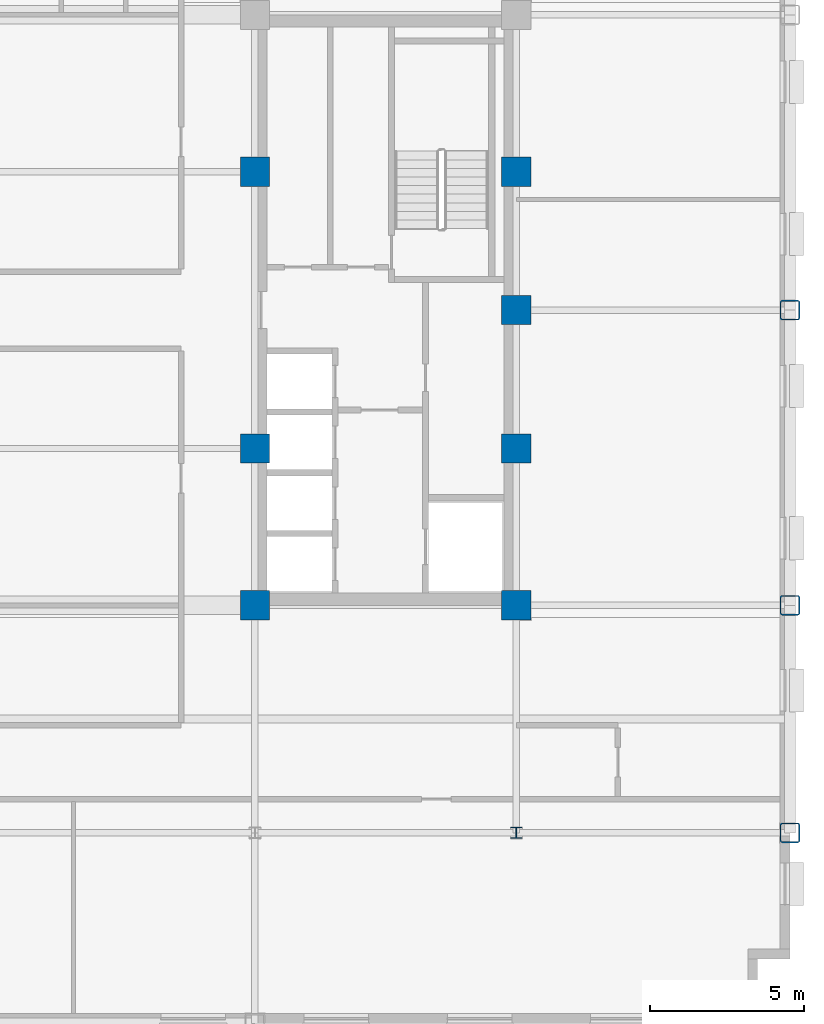
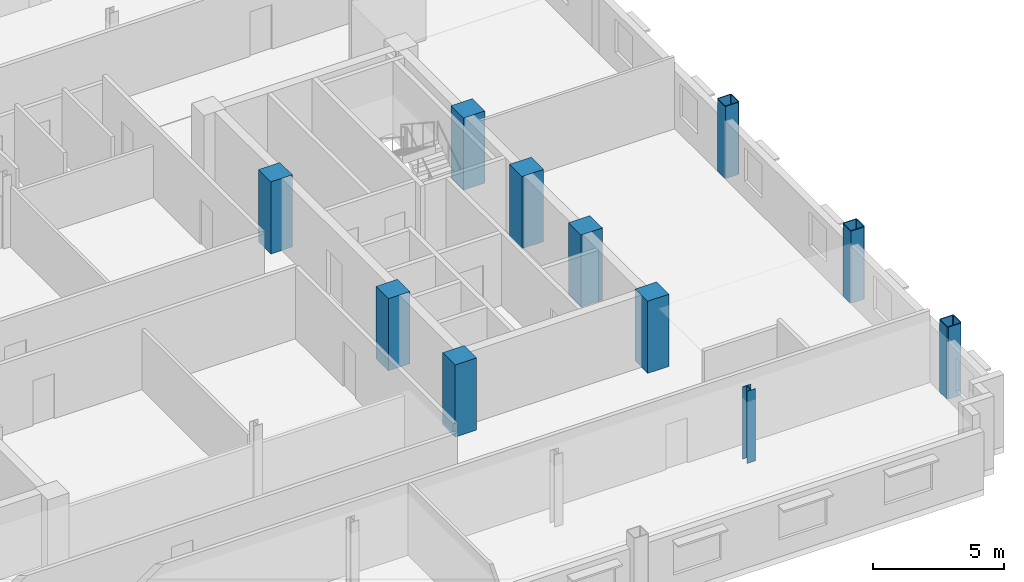
# One storey, part 2 of 14: 11 columns.
"""IFC4 building model written with IfcOpenShell, lengths in metres."""

from ifc_helpers import new_model, si_unit, direction, frame, origin, origin_2d, place, context, subcontext, project, spatial, rectangle, hollow_rectangle, i_section, extrude, material, material_profile, profile_set, type_object, element, save


model = new_model("IFC4")

# Units and contexts
model_context = context("Model", 3, precision=1e-05, world=origin(), true_north=direction((0.0, 1.0)))
body_context = subcontext(model_context, "Body", "Model", "MODEL_VIEW")
ifc_project = project(units=[si_unit("LENGTHUNIT", "METRE"), si_unit("AREAUNIT", "SQUARE_METRE"), si_unit("VOLUMEUNIT", "CUBIC_METRE"), si_unit("PLANEANGLEUNIT", "RADIAN"), si_unit("MASSUNIT", "GRAM", prefix="KILO")], contexts=[model_context])

# Site, building, storey
site_placement = place(None, origin())
site = spatial("IfcSite", under=ifc_project, at=site_placement, CompositionType="ELEMENT")
building_placement = place(site_placement, origin())
building = spatial("IfcBuilding", under=site, at=building_placement, Name="Nuvemarco Arch Tower", CompositionType="ELEMENT")
storey_placement = place(building_placement, frame((0.0, 0.0, 142.10009765625)))
storey = spatial("IfcBuildingStorey", under=building, at=storey_placement, Name="L37", CompositionType="ELEMENT", Elevation=142.10009765625)

# Columns
ifc_material_1 = material(Name="Concrete C50/60", Category="concrete")
ifc_material_profile_1 = material_profile(ifc_material_1, rectangle(XDim=0.949951171875, YDim=0.949951171875, at=origin_2d()), Name="RC-COL-950x950")
ifc_profile_set_1 = profile_set([ifc_material_profile_1], Name="Concrete C50/60")
column_type_1 = type_object("IfcColumnType", Name="COL-CORE-950", PredefinedType="COLUMN", material=ifc_profile_set_1)
for number, where, z_axis, x_axis, name in (
    (1, (9.0, -9.60009765625, 0.0), (0.0, 0.0, 1.0), (1.0, 0.0, 0.0), "L37 column CC_+9.0_-9.6"),
    (2, (9.0, -4.5, 0.0), (0.0, 0.0, 1.0), (1.0, 0.0, 0.0), "L37 column CC_+9.0_-4.5"),
    (3, (9.0, 4.5, 0.0), (0.0, 0.0, 1.0), (1.0, 0.0, 0.0), "L37 column CC_+9.0_+4.5"),
    (4, (17.5, -9.60009765625, 0.0), (0.0, 0.0, 1.0), (1.0, 0.0, 0.0), "L37 column CC_+17.5_-9.6"),
    (5, (17.5, -4.5, 0.0), (0.0, 0.0, 1.0), (1.0, 0.0, 0.0), "L37 column CC_+17.5_-4.5"),
    (6, (17.5, 4.5, 0.0), (0.0, 0.0, 1.0), (1.0, 0.0, 0.0), "L37 column CC_+17.5_+4.5"),
    (7, (17.5, 0.0, 0.0), (0.0, 0.0, 1.0), (1.0, 0.0, 0.0), "L37 column CC_+17.5_+0.0"),
):
    element("IfcColumn", number, at=place(storey_placement, frame(where, z_axis=z_axis, x_axis=x_axis)), inside=storey, type_object=column_type_1, Name=name, PredefinedType="COLUMN", context=body_context, shape_type="SweptSolid", body=[
        extrude(rectangle(XDim=0.949951171875, YDim=0.949951171875, at=origin_2d()), origin(), (0.0, 0.0, 1.0), 3.369873046875),
    ])
ifc_material_2 = material(Name="Steel S355", Category="steel")
ifc_material_profile_2 = material_profile(ifc_material_2, hollow_rectangle(XDim=0.64990234375, YDim=0.64990234375, WallThickness=0.0400390625, InnerFilletRadius=0.0400390625, OuterFilletRadius=0.080078125, at=origin_2d()), Name="SHS650x650x40")
ifc_profile_set_2 = profile_set([ifc_material_profile_2], Name="Steel S355")
column_type_2 = type_object("IfcColumnType", Name="COL-EXO-650", PredefinedType="COLUMN", material=ifc_profile_set_2)
for number, where, z_axis, x_axis, name in (
    (8, (26.39990234375, -17.0, 0.0), (0.0, 0.0, 1.0), (1.0, 0.0, 0.0), "L37 column CX_+26.4_-17.0"),
    (9, (26.39990234375, -9.60009765625, 0.0), (0.0, 0.0, 1.0), (1.0, 0.0, 0.0), "L37 column CX_+26.4_-9.6"),
    (10, (26.39990234375, 0.0, 0.0), (0.0, 0.0, 1.0), (1.0, 0.0, 0.0), "L37 column CX_+26.4_+0.0"),
):
    element("IfcColumn", number, at=place(storey_placement, frame(where, z_axis=z_axis, x_axis=x_axis)), inside=storey, type_object=column_type_2, Name=name, PredefinedType="COLUMN", context=body_context, shape_type="SweptSolid", body=[
        extrude(hollow_rectangle(XDim=0.64990234375, YDim=0.64990234375, WallThickness=0.0400390625, InnerFilletRadius=0.0400390625, OuterFilletRadius=0.080078125, at=origin_2d()), origin(), (0.0, 0.0, 1.0), 3.369873046875),
    ])
ifc_material_profile_3 = material_profile(ifc_material_2, i_section(OverallWidth=0.360107421875, OverallDepth=0.360107421875, WebThickness=0.0205078125, FlangeThickness=0.0205078125, FilletRadius=0.01806640625, at=origin_2d()), Name="HP360x174")
ifc_profile_set_3 = profile_set([ifc_material_profile_3], Name="Steel S355")
column_type_3 = type_object("IfcColumnType", Name="COL-STL-HP360", PredefinedType="COLUMN", material=ifc_profile_set_3)
column_placement = place(storey_placement, frame((17.5, -17.0, 0.0), z_axis=(0.0, 0.0, 1.0), x_axis=(1.0, 0.0, 0.0)))
element("IfcColumn", 11, at=column_placement, inside=storey, type_object=column_type_3, Name="L37 column CI_+17.5_-17.0", PredefinedType="COLUMN", context=body_context, shape_type="SweptSolid", body=[
    extrude(i_section(OverallWidth=0.360107421875, OverallDepth=0.360107421875, WebThickness=0.0205078125, FlangeThickness=0.0205078125, FilletRadius=0.01806640625, at=origin_2d()), origin(), (0.0, 0.0, 1.0), 3.369873046875),
])

save(model, "model.ifc")
